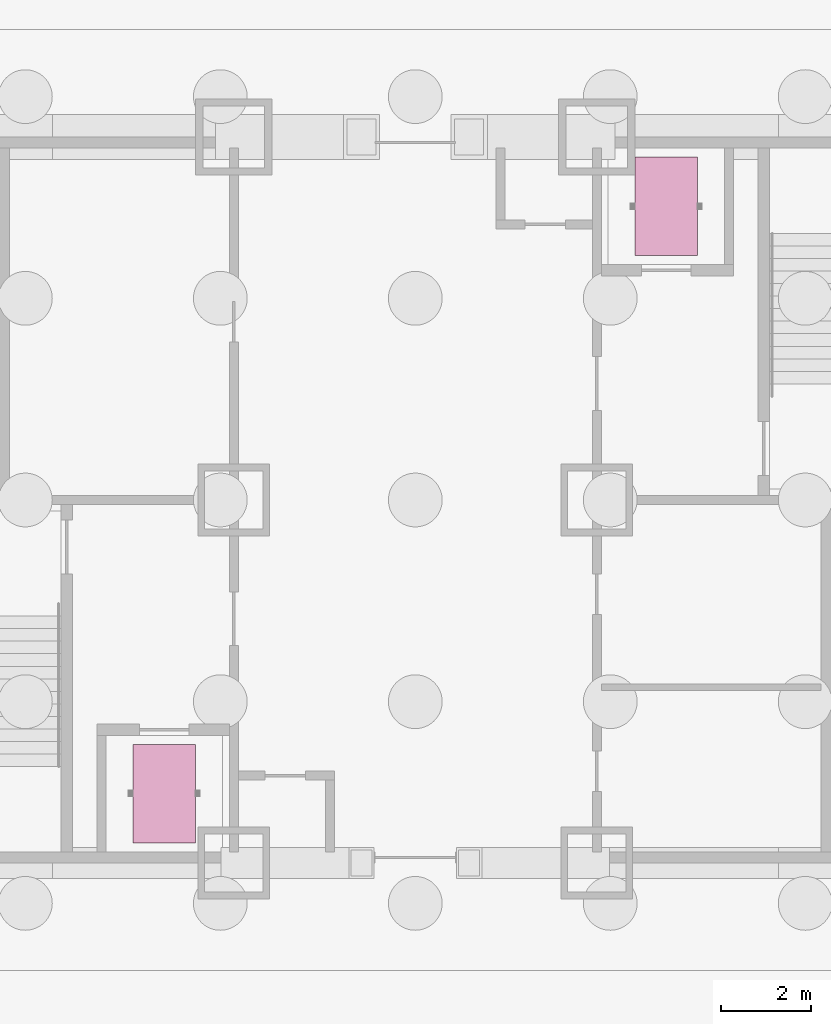
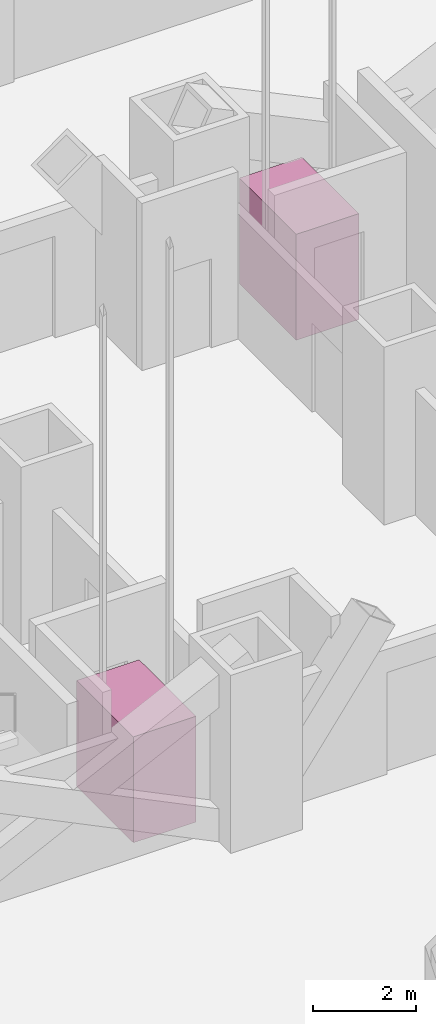
# One storey, part 15 of 17: 2 transport elements.
"""IFC4 building model written with IfcOpenShell, lengths in metres."""

from ifc_helpers import new_model, si_unit, direction, frame, origin, origin_2d, place, context, subcontext, project, spatial, rectangle, extrude, material, type_object, element, save


model = new_model("IFC4")

# Units and contexts
model_context = context("Model", 3, precision=1e-05, world=origin(), true_north=direction((0.0, 1.0)))
body_context = subcontext(model_context, "Body", "Model", "MODEL_VIEW")
ifc_project = project(units=[si_unit("LENGTHUNIT", "METRE"), si_unit("AREAUNIT", "SQUARE_METRE"), si_unit("VOLUMEUNIT", "CUBIC_METRE"), si_unit("PLANEANGLEUNIT", "RADIAN"), si_unit("MASSUNIT", "GRAM", prefix="KILO")], contexts=[model_context])

# Site, building, storey
site_placement = place(None, origin())
site = spatial("IfcSite", under=ifc_project, at=site_placement, CompositionType="ELEMENT")
building_placement = place(site_placement, origin())
building = spatial("IfcBuilding", under=site, at=building_placement, Name="Kopane Lantern Tower", CompositionType="ELEMENT")
storey_placement = place(building_placement, frame((0.0, 0.0, -8.39990234375)))
storey = spatial("IfcBuildingStorey", under=building, at=storey_placement, Name="L-02", CompositionType="ELEMENT", Elevation=-8.39990234375)

# Transport elements
ifc_material = material(Name="Aluminium and glass", Category="aluminium")
transport_element_type = type_object("IfcTransportElementType", Name="FIREFIGHTING LIFT 1275 KG", PredefinedType="ELEVATOR", material=ifc_material)
for number, where, z_axis, x_axis, name in (
    (1, (22.75, 25.85009765625, 0.0), (0.0, 0.0, 1.0), (1.0, 0.0, 0.0), "Firefighting lift LF1"),
    (2, (33.949951171875, 38.949951171875, 0.0), (0.0, 0.0, 1.0), (1.0, 0.0, 0.0), "Firefighting lift LF2"),
):
    element("IfcTransportElement", number, at=place(storey_placement, frame(where, z_axis=z_axis, x_axis=x_axis)), inside=storey, type_object=transport_element_type, Name=name, PredefinedType="ELEVATOR", context=body_context, shape_type="SweptSolid", body=[
        extrude(rectangle(XDim=1.39990234375, YDim=2.199951171875, at=origin_2d()), origin(), (0.0, 0.0, 1.0), 2.5),
    ])

save(model, "model.ifc")
